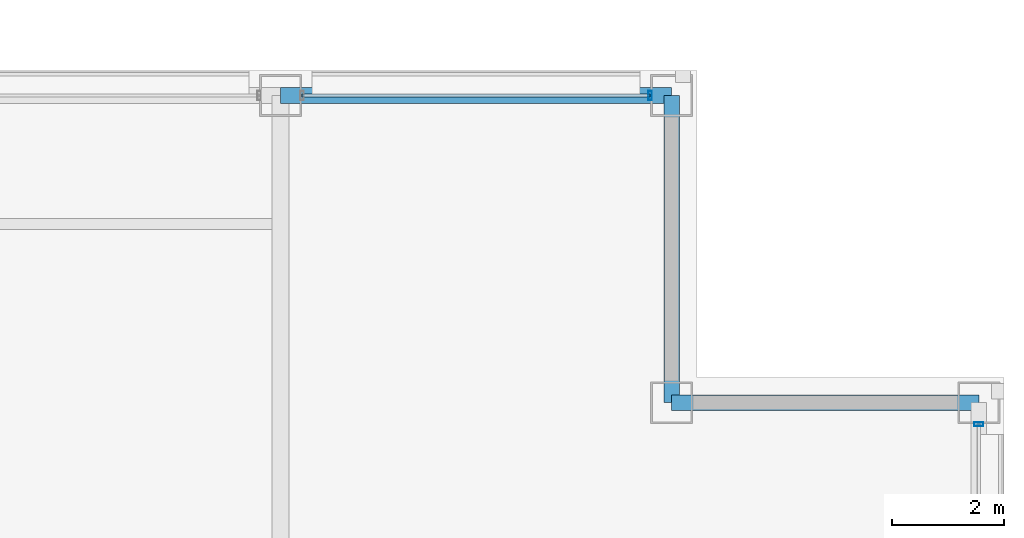
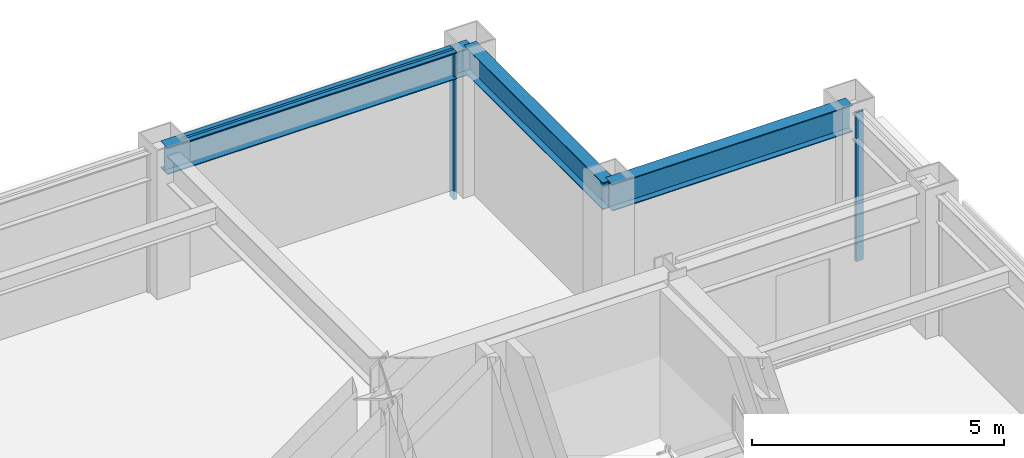
# One storey, part 22 of 28: 3 beams, 3 members, 2 elements without a shape of their own.
"""IFC4 building model written with IfcOpenShell, lengths in metres."""

from ifc_helpers import new_model, si_unit, direction, frame, origin, origin_2d, place, context, subcontext, project, spatial, hollow_rectangle, i_section, extrude, material, layer, layer_set, material_profile, profile_set, type_object, element, aggregate, save


model = new_model("IFC4")

# Units and contexts
model_context = context("Model", 3, precision=1e-05, world=origin(), true_north=direction((0.0, 1.0)))
body_context = subcontext(model_context, "Body", "Model", "MODEL_VIEW")
ifc_project = project(units=[si_unit("LENGTHUNIT", "METRE"), si_unit("AREAUNIT", "SQUARE_METRE"), si_unit("VOLUMEUNIT", "CUBIC_METRE"), si_unit("PLANEANGLEUNIT", "RADIAN"), si_unit("MASSUNIT", "GRAM", prefix="KILO")], contexts=[model_context])

# Site, building, storey
site_placement = place(None, origin())
site = spatial("IfcSite", under=ifc_project, at=site_placement, CompositionType="ELEMENT")
building_placement = place(site_placement, origin())
building = spatial("IfcBuilding", under=site, at=building_placement, Name="Brelmoor Portico Tower", CompositionType="ELEMENT")
storey_placement = place(building_placement, frame((0.0, 0.0, 155.10009765625)))
storey = spatial("IfcBuildingStorey", under=building, at=storey_placement, Name="L40", CompositionType="ELEMENT", Elevation=155.10009765625)

# Beams
ifc_material_1 = material(Name="Steel Q355B", Category="steel")
ifc_material_profile_1 = material_profile(ifc_material_1, i_section(OverallWidth=0.280029296875, OverallDepth=0.64990234375, WebThickness=0.012939453125, FlangeThickness=0.02197265625, at=origin_2d()), Name="HN 650x280x13x22")
ifc_profile_set_1 = profile_set([ifc_material_profile_1], Name="Steel Q355B")
beam_type = type_object("IfcBeamType", Name="BM-SP-650", PredefinedType="SPANDREL", material=ifc_profile_set_1)
beam_1_placement = place(storey_placement, frame((15.050048828125, 13.050048828125, 3.074951171875), z_axis=(1.0, 0.0, 0.0), x_axis=(0.0, 1.0, 0.0)))
element("IfcBeam", 1, at=beam_1_placement, inside=storey, type_object=beam_type, Name="L40 Perimeter Spandrel Beam SP-07", PredefinedType="SPANDREL", context=body_context, shape_type="SweptSolid", body=[
    extrude(i_section(OverallWidth=0.280029296875, OverallDepth=0.64990234375, WebThickness=0.012939453125, FlangeThickness=0.02197265625, at=origin_2d()), origin(), (0.0, 0.0, 1.0), 5.5),
])
beam_2_placement = place(storey_placement, frame((8.050048828125, 18.550048828125, 3.074951171875), z_axis=(1.0, 0.0, 0.0), x_axis=(0.0, 1.0, 0.0)))
element("IfcBeam", 2, at=beam_2_placement, inside=storey, type_object=beam_type, Name="L40 Perimeter Spandrel Beam SP-10", PredefinedType="SPANDREL", context=body_context, shape_type="SweptSolid", body=[
    extrude(i_section(OverallWidth=0.280029296875, OverallDepth=0.64990234375, WebThickness=0.012939453125, FlangeThickness=0.02197265625, at=origin_2d()), origin(), (0.0, 0.0, 1.0), 7.0),
])
beam_3_placement = place(storey_placement, frame((15.050048828125, 13.050048828125, 3.074951171875), z_axis=(0.0, 1.0, 0.0), x_axis=(-1.0, 0.0, 0.0)))
element("IfcBeam", 3, at=beam_3_placement, inside=storey, type_object=beam_type, Name="L40 Perimeter Spandrel Beam SP-17", PredefinedType="SPANDREL", context=body_context, shape_type="SweptSolid", body=[
    extrude(i_section(OverallWidth=0.280029296875, OverallDepth=0.64990234375, WebThickness=0.012939453125, FlangeThickness=0.02197265625, at=origin_2d()), origin(), (0.0, 0.0, 1.0), 5.5),
])

# Curtain wall, member
ifc_material_2 = material(Name="Anodised Aluminium Alloy 6063-T6", Category="aluminium")
ifc_layer = layer(ifc_material_2, 0.179931640625)
ifc_layer_set = layer_set([ifc_layer], Name="Anodised Aluminium Alloy 6063-T6")
curtain_wall_type = type_object("IfcCurtainWallType", Name="CW-TOWER-Z3-XB", PredefinedType="NOTDEFINED", material=ifc_layer_set)
curtain_wall_1_placement = place(storey_placement, origin())
curtain_wall_1 = element("IfcCurtainWall", 4, at=curtain_wall_1_placement, inside=storey, type_object=curtain_wall_type, Name="L40 Curtain Wall CW-L40-02-3", PredefinedType="NOTDEFINED")
ifc_material_profile_2 = material_profile(ifc_material_2, hollow_rectangle(XDim=0.06494140625, YDim=0.1650390625, WallThickness=0.00390625, at=origin_2d()), Name="ALU MULLION 65x165")
ifc_profile_set_2 = profile_set([ifc_material_profile_2], Name="Anodised Aluminium Alloy 6063-T6")
member_type_1 = type_object("IfcMemberType", Name="MB-CW-MULL-165", PredefinedType="MULLION", material=ifc_profile_set_2)
member_1_placement = place(storey_placement, frame((14.6650390625, 18.550048828125, -0.2001953125), z_axis=(0.0, 0.0, 1.0), x_axis=(1.0, 0.0, 0.0)))
member_1 = element("IfcMember", 5, at=member_1_placement, type_object=member_type_1, Name="CW-L40-02-3 Mullion 01", PredefinedType="MULLION", context=body_context, shape_type="SweptSolid", body=[
    extrude(hollow_rectangle(XDim=0.06494140625, YDim=0.1650390625, WallThickness=0.00390625, at=origin_2d()), origin(), (0.0, 0.0, 1.0), 3.60009765625),
])

curtain_wall_2_placement = place(storey_placement, origin())
curtain_wall_2 = element("IfcCurtainWall", 6, at=curtain_wall_2_placement, inside=storey, type_object=curtain_wall_type, Name="L40 Curtain Wall CW-L40-04-3", PredefinedType="NOTDEFINED")
member_2_placement = place(storey_placement, frame((20.550048828125, 12.6650390625, -0.2001953125), z_axis=(0.0, 0.0, 1.0), x_axis=(0.0, 1.0, 0.0)))
member_2 = element("IfcMember", 7, at=member_2_placement, type_object=member_type_1, Name="CW-L40-04-3 Mullion 01", PredefinedType="MULLION", context=body_context, shape_type="SweptSolid", body=[
    extrude(hollow_rectangle(XDim=0.06494140625, YDim=0.1650390625, WallThickness=0.00390625, at=origin_2d()), origin(), (0.0, 0.0, 1.0), 3.60009765625),
])
aggregate(curtain_wall_2, [member_2])

# Member
ifc_material_profile_3 = material_profile(ifc_material_2, hollow_rectangle(XDim=0.06005859375, YDim=0.125, WallThickness=0.00341796875, at=origin_2d()), Name="ALU TRANSOM 60x125")
ifc_profile_set_3 = profile_set([ifc_material_profile_3], Name="Anodised Aluminium Alloy 6063-T6")
member_type_2 = type_object("IfcMemberType", Name="MB-CW-TRAN-125", PredefinedType="USERDEFINED", material=ifc_profile_set_3)
member_3_placement = place(storey_placement, frame((8.43505859375, 18.550048828125, 3.33740234375), z_axis=(1.0, 0.0, 0.0), x_axis=(0.0, 1.0, 0.0)))
member_3 = element("IfcMember", 8, at=member_3_placement, type_object=member_type_2, Name="CW-L40-02-3 Transom 1-00", ObjectType="TRANSOM", PredefinedType="USERDEFINED", context=body_context, shape_type="SweptSolid", body=[
    extrude(hollow_rectangle(XDim=0.06005859375, YDim=0.125, WallThickness=0.00341796875, at=origin_2d()), origin(), (0.0, 0.0, 1.0), 6.22998046875),
])

aggregate(curtain_wall_1, [member_1, member_3])

save(model, "model.ifc")
